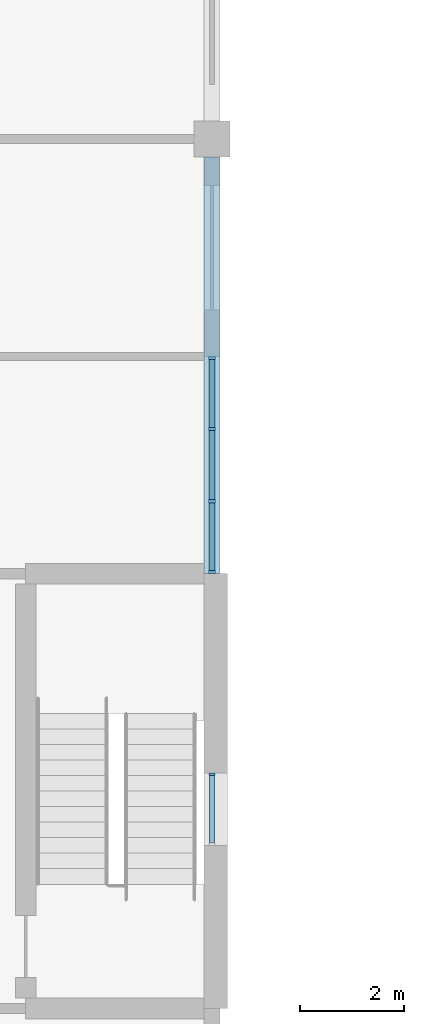
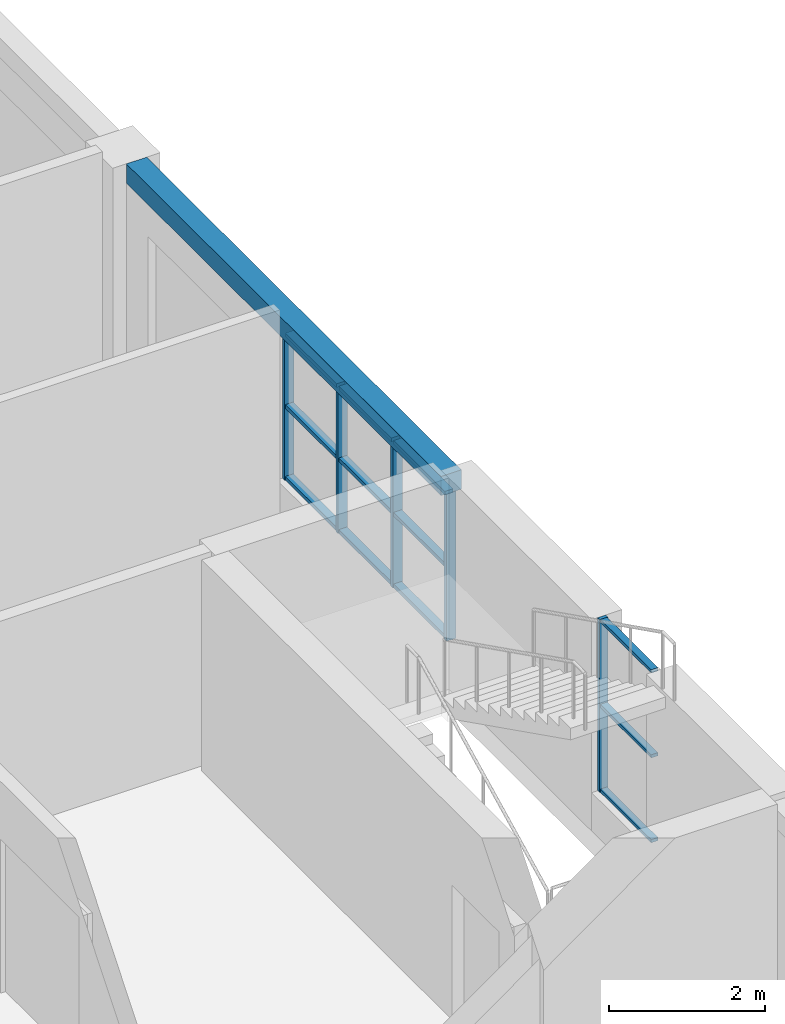
# One storey, part 14 of 48: 17 members, 1 beam, 2 elements without a shape of their own.
"""IFC4 building model written with IfcOpenShell, lengths in metres."""

from ifc_helpers import new_model, si_unit, direction, frame, origin, origin_2d, place, context, subcontext, project, spatial, rectangle, extrude, material, material_profile, profile_set, type_object, element, aggregate, save


model = new_model("IFC4")

# Units and contexts
model_context = context("Model", 3, precision=1e-05, world=origin(), true_north=direction((0.0, 1.0)))
body_context = subcontext(model_context, "Body", "Model", "MODEL_VIEW")
ifc_project = project(units=[si_unit("LENGTHUNIT", "METRE"), si_unit("AREAUNIT", "SQUARE_METRE"), si_unit("VOLUMEUNIT", "CUBIC_METRE"), si_unit("PLANEANGLEUNIT", "RADIAN"), si_unit("MASSUNIT", "GRAM", prefix="KILO")], contexts=[model_context])

# Site, building, storey
site_placement = place(None, origin())
site = spatial("IfcSite", under=ifc_project, at=site_placement, CompositionType="ELEMENT")
building_placement = place(site_placement, origin())
building = spatial("IfcBuilding", under=site, at=building_placement, Name="Yavir Park General Hospital", CompositionType="ELEMENT")
storey_placement = place(building_placement, frame((0.0, 0.0, 26.10009765625)))
storey = spatial("IfcBuildingStorey", under=building, at=storey_placement, Name="L06", CompositionType="ELEMENT", Elevation=26.10009765625)

# Curtain wall, members
ifc_material_1 = material(Name="Aluminium curtain wall frame with insulated glazing", Category="aluminium")
curtain_wall_type_1 = type_object("IfcCurtainWallType", Name="Day room pocket glazing, ward floors, 2300 high, 1400 module", PredefinedType="NOTDEFINED", material=ifc_material_1)
curtain_wall_1_placement = place(storey_placement, origin())
curtain_wall_1 = element("IfcCurtainWall", 1, at=curtain_wall_1_placement, inside=storey, type_object=curtain_wall_type_1, Name="CW63 L06-025", PredefinedType="NOTDEFINED")
ifc_material_2 = material(Name="Aluminium", Category="aluminium")
ifc_material_profile_1 = material_profile(ifc_material_2, rectangle(XDim=0.139892578125, YDim=0.06005859375, at=origin_2d()), Name="AL 60x140")
ifc_profile_set_1 = profile_set([ifc_material_profile_1], Name="Aluminium")
member_type_1 = type_object("IfcMemberType", Name="Day room pocket glazing, ward floors, 2300 high mullion 60 x 140", PredefinedType="MULLION", material=ifc_profile_set_1)
member_1_placement = place(storey_placement, frame((25.199951171875, 84.030029296875, 0.599853515625), z_axis=(0.0, 0.0, 1.0), x_axis=(-1.0, 0.0, 0.0)))
member_1 = element("IfcMember", 2, at=member_1_placement, type_object=member_type_1, Name="CW63 mullion 1", PredefinedType="MULLION", context=body_context, shape_type="SweptSolid", body=[
    extrude(rectangle(XDim=0.139892578125, YDim=0.06005859375, at=origin_2d()), origin(), (0.0, 0.0, 1.0), 2.300048828125),
])
member_2_placement = place(storey_placement, frame((25.199951171875, 85.39990234375, 0.599853515625), z_axis=(0.0, 0.0, 1.0), x_axis=(-1.0, 0.0, 0.0)))
member_2 = element("IfcMember", 3, at=member_2_placement, type_object=member_type_1, Name="CW63 mullion 2", PredefinedType="MULLION", context=body_context, shape_type="SweptSolid", body=[
    extrude(rectangle(XDim=0.139892578125, YDim=0.06005859375, at=origin_2d()), origin(), (0.0, 0.0, 1.0), 2.300048828125),
])
member_3_placement = place(storey_placement, frame((25.199951171875, 86.800048828125, 0.599853515625), z_axis=(0.0, 0.0, 1.0), x_axis=(-1.0, 0.0, 0.0)))
member_3 = element("IfcMember", 4, at=member_3_placement, type_object=member_type_1, Name="CW63 mullion 3", PredefinedType="MULLION", context=body_context, shape_type="SweptSolid", body=[
    extrude(rectangle(XDim=0.139892578125, YDim=0.06005859375, at=origin_2d()), origin(), (0.0, 0.0, 1.0), 2.300048828125),
])
member_4_placement = place(storey_placement, frame((25.199951171875, 88.169921875, 0.599853515625), z_axis=(0.0, 0.0, 1.0), x_axis=(-1.0, 0.0, 0.0)))
member_4 = element("IfcMember", 5, at=member_4_placement, type_object=member_type_1, Name="CW63 mullion 4", PredefinedType="MULLION", context=body_context, shape_type="SweptSolid", body=[
    extrude(rectangle(XDim=0.139892578125, YDim=0.06005859375, at=origin_2d()), origin(), (0.0, 0.0, 1.0), 2.300048828125),
])
ifc_material_3 = material(Name="Aluminium", Category="aluminium")
ifc_material_profile_2 = material_profile(ifc_material_3, rectangle(XDim=0.1201171875, YDim=0.06005859375, at=origin_2d()), Name="AL 120x60")
ifc_profile_set_2 = profile_set([ifc_material_profile_2], Name="Aluminium")
member_type_2 = type_object("IfcMemberType", Name="Day room pocket glazing, ward floors, 2300 high transom 60 x 120", PredefinedType="MULLION", material=ifc_profile_set_2)
member_5_placement = place(storey_placement, frame((25.199951171875, 84.06005859375, 0.6298828125), z_axis=(0.0, 1.0, 0.0), x_axis=(-1.0, 0.0, 0.0)))
member_5 = element("IfcMember", 6, at=member_5_placement, type_object=member_type_2, Name="CW63 transom 1.1", PredefinedType="MULLION", context=body_context, shape_type="SweptSolid", body=[
    extrude(rectangle(XDim=0.1201171875, YDim=0.06005859375, at=origin_2d()), origin(), (0.0, 0.0, 1.0), 1.31005859375),
])
member_6_placement = place(storey_placement, frame((25.199951171875, 84.06005859375, 1.75), z_axis=(0.0, 1.0, 0.0), x_axis=(-1.0, 0.0, 0.0)))
member_6 = element("IfcMember", 7, at=member_6_placement, type_object=member_type_2, Name="CW63 transom 1.2", PredefinedType="MULLION", context=body_context, shape_type="SweptSolid", body=[
    extrude(rectangle(XDim=0.1201171875, YDim=0.06005859375, at=origin_2d()), origin(), (0.0, 0.0, 1.0), 1.31005859375),
])
member_7_placement = place(storey_placement, frame((25.199951171875, 84.06005859375, 2.869873046875), z_axis=(0.0, 1.0, 0.0), x_axis=(-1.0, 0.0, 0.0)))
member_7 = element("IfcMember", 8, at=member_7_placement, type_object=member_type_2, Name="CW63 transom 1.3", PredefinedType="MULLION", context=body_context, shape_type="SweptSolid", body=[
    extrude(rectangle(XDim=0.1201171875, YDim=0.06005859375, at=origin_2d()), origin(), (0.0, 0.0, 1.0), 1.31005859375),
])
member_8_placement = place(storey_placement, frame((25.199951171875, 85.429931640625, 0.6298828125), z_axis=(0.0, 1.0, 0.0), x_axis=(-1.0, 0.0, 0.0)))
member_8 = element("IfcMember", 9, at=member_8_placement, type_object=member_type_2, Name="CW63 transom 2.1", PredefinedType="MULLION", context=body_context, shape_type="SweptSolid", body=[
    extrude(rectangle(XDim=0.1201171875, YDim=0.06005859375, at=origin_2d()), origin(), (0.0, 0.0, 1.0), 1.340087890625),
])
member_9_placement = place(storey_placement, frame((25.199951171875, 85.429931640625, 1.75), z_axis=(0.0, 1.0, 0.0), x_axis=(-1.0, 0.0, 0.0)))
member_9 = element("IfcMember", 10, at=member_9_placement, type_object=member_type_2, Name="CW63 transom 2.2", PredefinedType="MULLION", context=body_context, shape_type="SweptSolid", body=[
    extrude(rectangle(XDim=0.1201171875, YDim=0.06005859375, at=origin_2d()), origin(), (0.0, 0.0, 1.0), 1.340087890625),
])
member_10_placement = place(storey_placement, frame((25.199951171875, 85.429931640625, 2.869873046875), z_axis=(0.0, 1.0, 0.0), x_axis=(-1.0, 0.0, 0.0)))
member_10 = element("IfcMember", 11, at=member_10_placement, type_object=member_type_2, Name="CW63 transom 2.3", PredefinedType="MULLION", context=body_context, shape_type="SweptSolid", body=[
    extrude(rectangle(XDim=0.1201171875, YDim=0.06005859375, at=origin_2d()), origin(), (0.0, 0.0, 1.0), 1.340087890625),
])
member_11_placement = place(storey_placement, frame((25.199951171875, 86.830078125, 0.6298828125), z_axis=(0.0, 1.0, 0.0), x_axis=(-1.0, 0.0, 0.0)))
member_11 = element("IfcMember", 12, at=member_11_placement, type_object=member_type_2, Name="CW63 transom 3.1", PredefinedType="MULLION", context=body_context, shape_type="SweptSolid", body=[
    extrude(rectangle(XDim=0.1201171875, YDim=0.06005859375, at=origin_2d()), origin(), (0.0, 0.0, 1.0), 1.309814453125),
])
member_12_placement = place(storey_placement, frame((25.199951171875, 86.830078125, 1.75), z_axis=(0.0, 1.0, 0.0), x_axis=(-1.0, 0.0, 0.0)))
member_12 = element("IfcMember", 13, at=member_12_placement, type_object=member_type_2, Name="CW63 transom 3.2", PredefinedType="MULLION", context=body_context, shape_type="SweptSolid", body=[
    extrude(rectangle(XDim=0.1201171875, YDim=0.06005859375, at=origin_2d()), origin(), (0.0, 0.0, 1.0), 1.309814453125),
])
member_13_placement = place(storey_placement, frame((25.199951171875, 86.830078125, 2.869873046875), z_axis=(0.0, 1.0, 0.0), x_axis=(-1.0, 0.0, 0.0)))
member_13 = element("IfcMember", 14, at=member_13_placement, type_object=member_type_2, Name="CW63 transom 3.3", PredefinedType="MULLION", context=body_context, shape_type="SweptSolid", body=[
    extrude(rectangle(XDim=0.1201171875, YDim=0.06005859375, at=origin_2d()), origin(), (0.0, 0.0, 1.0), 1.309814453125),
])
aggregate(curtain_wall_1, [member_1, member_2, member_3, member_4, member_5, member_6, member_7, member_8, member_9, member_10, member_11, member_12, member_13])

# Beam
ifc_material_4 = material(Name="Concrete C35/45", Category="concrete")
ifc_material_profile_3 = material_profile(ifc_material_4, rectangle(XDim=0.300048828125, YDim=0.300048828125, at=origin_2d()), Name="RC300x300")
ifc_profile_set_3 = profile_set([ifc_material_profile_3], Name="Concrete C35/45")
beam_type = type_object("IfcBeamType", Name="RC BEAM 300x300 edge beam", PredefinedType="BEAM", material=ifc_profile_set_3)
beam_placement = place(storey_placement, frame((25.199951171875, 84.0, 3.0498046875), z_axis=(0.0, 1.0, 0.0), x_axis=(-1.0, 0.0, 0.0)))
element("IfcBeam", 15, at=beam_placement, inside=storey, type_object=beam_type, Name="B:EDGE:L06:032", PredefinedType="BEAM", context=body_context, shape_type="SweptSolid", body=[
    extrude(rectangle(XDim=0.300048828125, YDim=0.300048828125, at=origin_2d()), origin(), (0.0, 0.0, 1.0), 8.050048828125),
])

# Curtain wall, members
ifc_material_5 = material(Name="Aluminium curtain wall frame with insulated glazing", Category="aluminium")
curtain_wall_type_2 = type_object("IfcCurtainWallType", Name="Stair light slot, ward floors, 2700 high, 1400 module", PredefinedType="NOTDEFINED", material=ifc_material_5)
curtain_wall_2_placement = place(storey_placement, origin())
curtain_wall_2 = element("IfcCurtainWall", 16, at=curtain_wall_2_placement, inside=storey, type_object=curtain_wall_type_2, Name="CW64 L06-024", PredefinedType="NOTDEFINED")
ifc_material_6 = material(Name="Aluminium", Category="aluminium")
ifc_material_profile_4 = material_profile(ifc_material_6, rectangle(XDim=0.1201171875, YDim=0.050048828125, at=origin_2d()), Name="AL 50x120")
ifc_profile_set_4 = profile_set([ifc_material_profile_4], Name="Aluminium")
member_type_3 = type_object("IfcMemberType", Name="Stair light slot, ward floors, 2700 high mullion 50 x 120", PredefinedType="MULLION", material=ifc_profile_set_4)
member_14_placement = place(storey_placement, frame((25.199951171875, 80.125, 0.599853515625), z_axis=(0.0, 0.0, 1.0), x_axis=(-1.0, 0.0, 0.0)))
member_14 = element("IfcMember", 17, at=member_14_placement, type_object=member_type_3, Name="CW64 mullion 2", PredefinedType="MULLION", context=body_context, shape_type="SweptSolid", body=[
    extrude(rectangle(XDim=0.1201171875, YDim=0.050048828125, at=origin_2d()), origin(), (0.0, 0.0, 1.0), 2.699951171875),
])
ifc_material_7 = material(Name="Aluminium", Category="aluminium")
ifc_material_profile_5 = material_profile(ifc_material_7, rectangle(XDim=0.10009765625, YDim=0.050048828125, at=origin_2d()), Name="AL 100x50")
ifc_profile_set_5 = profile_set([ifc_material_profile_5], Name="Aluminium")
member_type_4 = type_object("IfcMemberType", Name="Stair light slot, ward floors, 2700 high transom 50 x 100", PredefinedType="MULLION", material=ifc_profile_set_5)
member_15_placement = place(storey_placement, frame((25.199951171875, 78.800048828125, 0.625), z_axis=(0.0, 1.0, 0.0), x_axis=(-1.0, 0.0, 0.0)))
member_15 = element("IfcMember", 18, at=member_15_placement, type_object=member_type_4, Name="CW64 transom 1.1", PredefinedType="MULLION", context=body_context, shape_type="SweptSolid", body=[
    extrude(rectangle(XDim=0.10009765625, YDim=0.050048828125, at=origin_2d()), origin(), (0.0, 0.0, 1.0), 1.300048828125),
])
member_16_placement = place(storey_placement, frame((25.199951171875, 78.800048828125, 1.949951171875), z_axis=(0.0, 1.0, 0.0), x_axis=(-1.0, 0.0, 0.0)))
member_16 = element("IfcMember", 19, at=member_16_placement, type_object=member_type_4, Name="CW64 transom 1.2", PredefinedType="MULLION", context=body_context, shape_type="SweptSolid", body=[
    extrude(rectangle(XDim=0.10009765625, YDim=0.050048828125, at=origin_2d()), origin(), (0.0, 0.0, 1.0), 1.300048828125),
])
member_17_placement = place(storey_placement, frame((25.199951171875, 78.800048828125, 3.27490234375), z_axis=(0.0, 1.0, 0.0), x_axis=(-1.0, 0.0, 0.0)))
member_17 = element("IfcMember", 20, at=member_17_placement, type_object=member_type_4, Name="CW64 transom 1.3", PredefinedType="MULLION", context=body_context, shape_type="SweptSolid", body=[
    extrude(rectangle(XDim=0.10009765625, YDim=0.050048828125, at=origin_2d()), origin(), (0.0, 0.0, 1.0), 1.300048828125),
])
aggregate(curtain_wall_2, [member_14, member_15, member_16, member_17])

save(model, "model.ifc")
